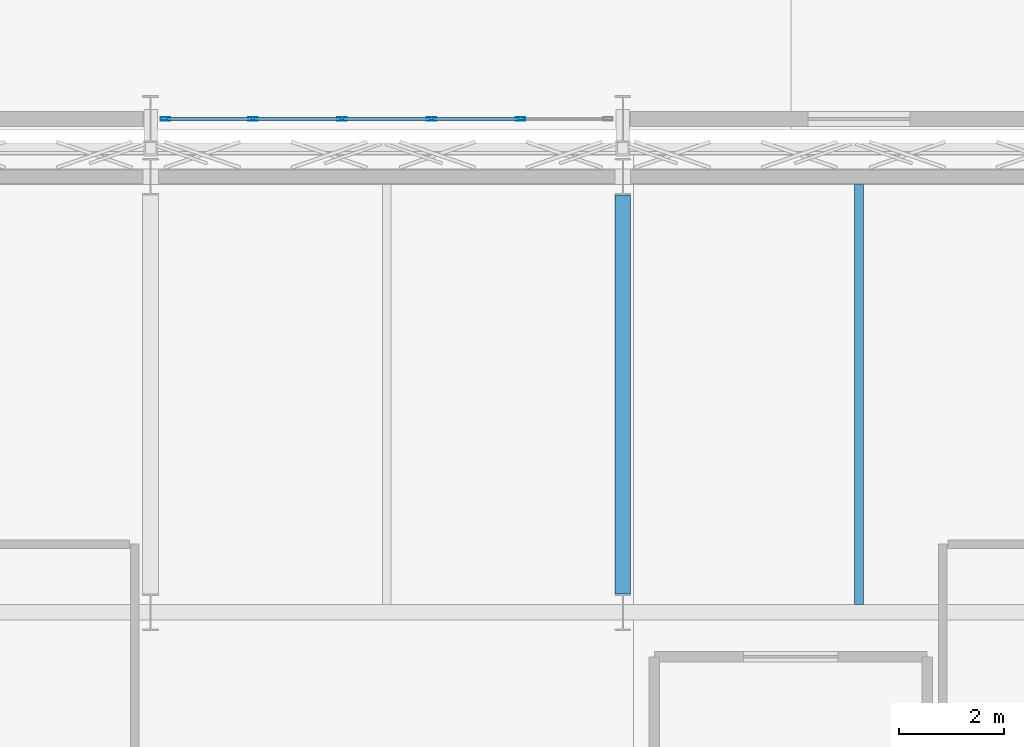
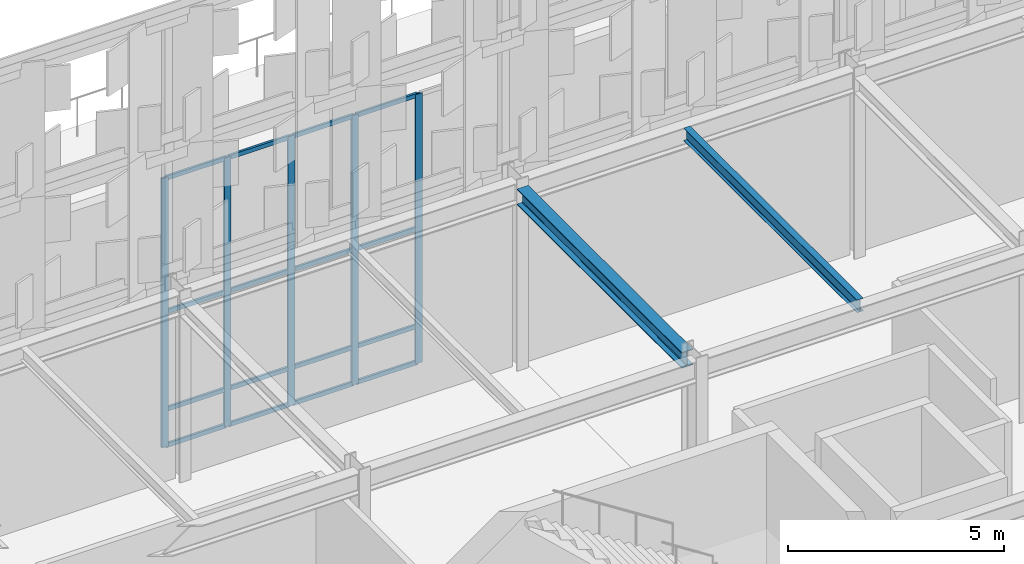
# One storey, part 67 of 210: 21 members, 2 beams, 1 element without a shape of its own.
"""IFC4 building model written with IfcOpenShell, lengths in metres."""

from ifc_helpers import new_model, si_unit, direction, frame, origin, origin_2d, place, context, subcontext, project, spatial, hollow_rectangle, i_section, extrude, material, material_profile, profile_set, type_object, element, aggregate, save


model = new_model("IFC4")

# Units and contexts
model_context = context("Model", 3, precision=1e-05, world=origin(), true_north=direction((0.0, 1.0)))
body_context = subcontext(model_context, "Body", "Model", "MODEL_VIEW")
ifc_project = project(units=[si_unit("LENGTHUNIT", "METRE"), si_unit("AREAUNIT", "SQUARE_METRE"), si_unit("VOLUMEUNIT", "CUBIC_METRE"), si_unit("PLANEANGLEUNIT", "RADIAN"), si_unit("MASSUNIT", "GRAM", prefix="KILO")], contexts=[model_context])

# Site, building, storey
site_placement = place(None, origin())
site = spatial("IfcSite", under=ifc_project, at=site_placement, CompositionType="ELEMENT")
building_placement = place(site_placement, origin())
building = spatial("IfcBuilding", under=site, at=building_placement, Name="Kaldris Quays Convention Centre", CompositionType="ELEMENT")
storey_placement = place(building_placement, frame((0.0, 0.0, 6.0)))
storey = spatial("IfcBuildingStorey", under=building, at=storey_placement, Name="L01", CompositionType="ELEMENT", Elevation=6.0)

# Curtain wall, members
ifc_material_1 = material(Name="Anodized aluminium AW-6060 and triple glazing", Category="aluminium")
curtain_wall_type = type_object("IfcCurtainWallType", Name="UNITISED CURTAIN WALL CW03", PredefinedType="NOTDEFINED", material=ifc_material_1)
curtain_wall_placement = place(storey_placement, origin())
curtain_wall = element("IfcCurtainWall", 1, at=curtain_wall_placement, inside=storey, type_object=curtain_wall_type, Name="L01 Unitised Curtain Wall CW03 9", PredefinedType="NOTDEFINED")
ifc_material_2 = material(Name="Anodized aluminium AW-6060", Category="aluminium")
ifc_material_profile_1 = material_profile(ifc_material_2, hollow_rectangle(XDim=0.06005859375, YDim=0.179931640625, WallThickness=0.0048828125, at=origin_2d()), Name="RHS 180x60x5")
ifc_profile_set_1 = profile_set([ifc_material_profile_1], Name="Anodized aluminium AW-6060")
member_type_1 = type_object("IfcMemberType", Name="CURTAIN MULLION CWM2", PredefinedType="MULLION", material=ifc_profile_set_1)
member_1_placement = place(storey_placement, frame((92.280029296875, 56.0, 0.0), z_axis=(0.0, 0.0, 1.0), x_axis=(0.0, 1.0, 0.0)))
member_1 = element("IfcMember", 2, at=member_1_placement, type_object=member_type_1, Name="CW03 mullion 1", PredefinedType="MULLION", context=body_context, shape_type="SweptSolid", body=[
    extrude(hollow_rectangle(XDim=0.06005859375, YDim=0.179931640625, WallThickness=0.0048828125, at=origin_2d()), origin(), (0.0, 0.0, 1.0), 7.60009765625),
])
member_2_placement = place(storey_placement, frame((93.949951171875, 56.0, 0.0), z_axis=(0.0, 0.0, 1.0), x_axis=(0.0, 1.0, 0.0)))
member_2 = element("IfcMember", 3, at=member_2_placement, type_object=member_type_1, Name="CW03 mullion 2", PredefinedType="MULLION", context=body_context, shape_type="SweptSolid", body=[
    extrude(hollow_rectangle(XDim=0.06005859375, YDim=0.179931640625, WallThickness=0.0048828125, at=origin_2d()), origin(), (0.0, 0.0, 1.0), 7.60009765625),
])
member_3_placement = place(storey_placement, frame((95.64990234375, 56.0, 0.0), z_axis=(0.0, 0.0, 1.0), x_axis=(0.0, 1.0, 0.0)))
member_3 = element("IfcMember", 4, at=member_3_placement, type_object=member_type_1, Name="CW03 mullion 3", PredefinedType="MULLION", context=body_context, shape_type="SweptSolid", body=[
    extrude(hollow_rectangle(XDim=0.06005859375, YDim=0.179931640625, WallThickness=0.0048828125, at=origin_2d()), origin(), (0.0, 0.0, 1.0), 7.60009765625),
])
member_4_placement = place(storey_placement, frame((97.35009765625, 56.0, 0.0), z_axis=(0.0, 0.0, 1.0), x_axis=(0.0, 1.0, 0.0)))
member_4 = element("IfcMember", 5, at=member_4_placement, type_object=member_type_1, Name="CW03 mullion 4", PredefinedType="MULLION", context=body_context, shape_type="SweptSolid", body=[
    extrude(hollow_rectangle(XDim=0.06005859375, YDim=0.179931640625, WallThickness=0.0048828125, at=origin_2d()), origin(), (0.0, 0.0, 1.0), 7.60009765625),
])
member_5_placement = place(storey_placement, frame((99.050048828125, 56.0, 0.0), z_axis=(0.0, 0.0, 1.0), x_axis=(0.0, 1.0, 0.0)))
member_5 = element("IfcMember", 6, at=member_5_placement, type_object=member_type_1, Name="CW03 mullion 5", PredefinedType="MULLION", context=body_context, shape_type="SweptSolid", body=[
    extrude(hollow_rectangle(XDim=0.06005859375, YDim=0.179931640625, WallThickness=0.0048828125, at=origin_2d()), origin(), (0.0, 0.0, 1.0), 7.60009765625),
])
ifc_material_profile_2 = material_profile(ifc_material_2, hollow_rectangle(XDim=0.06005859375, YDim=0.1201171875, WallThickness=0.00390625, at=origin_2d()), Name="RHS 120x60x4")
ifc_profile_set_2 = profile_set([ifc_material_profile_2], Name="Anodized aluminium AW-6060")
member_type_2 = type_object("IfcMemberType", Name="CURTAIN TRANSOM CWT1", PredefinedType="USERDEFINED", material=ifc_profile_set_2)
member_6_placement = place(storey_placement, frame((92.31005859375, 56.0, 0.030029296875), z_axis=(1.0, 0.0, 0.0), x_axis=(0.0, 1.0, 0.0)))
member_6 = element("IfcMember", 7, at=member_6_placement, type_object=member_type_2, Name="CW03 transom 1.1", ObjectType="TRANSOM", PredefinedType="USERDEFINED", context=body_context, shape_type="SweptSolid", body=[
    extrude(hollow_rectangle(XDim=0.06005859375, YDim=0.1201171875, WallThickness=0.00390625, at=origin_2d()), origin(), (0.0, 0.0, 1.0), 1.60986328125),
])
member_7_placement = place(storey_placement, frame((92.31005859375, 56.0, 1.050048828125), z_axis=(1.0, 0.0, 0.0), x_axis=(0.0, 1.0, 0.0)))
member_7 = element("IfcMember", 8, at=member_7_placement, type_object=member_type_2, Name="CW03 transom 1.2", ObjectType="TRANSOM", PredefinedType="USERDEFINED", context=body_context, shape_type="SweptSolid", body=[
    extrude(hollow_rectangle(XDim=0.06005859375, YDim=0.1201171875, WallThickness=0.00390625, at=origin_2d()), origin(), (0.0, 0.0, 1.0), 1.60986328125),
])
member_8_placement = place(storey_placement, frame((92.31005859375, 56.0, 3.800048828125), z_axis=(1.0, 0.0, 0.0), x_axis=(0.0, 1.0, 0.0)))
member_8 = element("IfcMember", 9, at=member_8_placement, type_object=member_type_2, Name="CW03 transom 1.3", ObjectType="TRANSOM", PredefinedType="USERDEFINED", context=body_context, shape_type="SweptSolid", body=[
    extrude(hollow_rectangle(XDim=0.06005859375, YDim=0.1201171875, WallThickness=0.00390625, at=origin_2d()), origin(), (0.0, 0.0, 1.0), 1.60986328125),
])
member_9_placement = place(storey_placement, frame((92.31005859375, 56.0, 7.570068359375), z_axis=(1.0, 0.0, 0.0), x_axis=(0.0, 1.0, 0.0)))
member_9 = element("IfcMember", 10, at=member_9_placement, type_object=member_type_2, Name="CW03 transom 1.4", ObjectType="TRANSOM", PredefinedType="USERDEFINED", context=body_context, shape_type="SweptSolid", body=[
    extrude(hollow_rectangle(XDim=0.06005859375, YDim=0.1201171875, WallThickness=0.00390625, at=origin_2d()), origin(), (0.0, 0.0, 1.0), 1.60986328125),
])
member_10_placement = place(storey_placement, frame((93.97998046875, 56.0, 0.030029296875), z_axis=(1.0, 0.0, 0.0), x_axis=(0.0, 1.0, 0.0)))
member_10 = element("IfcMember", 11, at=member_10_placement, type_object=member_type_2, Name="CW03 transom 2.1", ObjectType="TRANSOM", PredefinedType="USERDEFINED", context=body_context, shape_type="SweptSolid", body=[
    extrude(hollow_rectangle(XDim=0.06005859375, YDim=0.1201171875, WallThickness=0.00390625, at=origin_2d()), origin(), (0.0, 0.0, 1.0), 1.64013671875),
])
member_11_placement = place(storey_placement, frame((93.97998046875, 56.0, 1.050048828125), z_axis=(1.0, 0.0, 0.0), x_axis=(0.0, 1.0, 0.0)))
member_11 = element("IfcMember", 12, at=member_11_placement, type_object=member_type_2, Name="CW03 transom 2.2", ObjectType="TRANSOM", PredefinedType="USERDEFINED", context=body_context, shape_type="SweptSolid", body=[
    extrude(hollow_rectangle(XDim=0.06005859375, YDim=0.1201171875, WallThickness=0.00390625, at=origin_2d()), origin(), (0.0, 0.0, 1.0), 1.64013671875),
])
member_12_placement = place(storey_placement, frame((93.97998046875, 56.0, 3.800048828125), z_axis=(1.0, 0.0, 0.0), x_axis=(0.0, 1.0, 0.0)))
member_12 = element("IfcMember", 13, at=member_12_placement, type_object=member_type_2, Name="CW03 transom 2.3", ObjectType="TRANSOM", PredefinedType="USERDEFINED", context=body_context, shape_type="SweptSolid", body=[
    extrude(hollow_rectangle(XDim=0.06005859375, YDim=0.1201171875, WallThickness=0.00390625, at=origin_2d()), origin(), (0.0, 0.0, 1.0), 1.64013671875),
])
member_13_placement = place(storey_placement, frame((93.97998046875, 56.0, 7.570068359375), z_axis=(1.0, 0.0, 0.0), x_axis=(0.0, 1.0, 0.0)))
member_13 = element("IfcMember", 14, at=member_13_placement, type_object=member_type_2, Name="CW03 transom 2.4", ObjectType="TRANSOM", PredefinedType="USERDEFINED", context=body_context, shape_type="SweptSolid", body=[
    extrude(hollow_rectangle(XDim=0.06005859375, YDim=0.1201171875, WallThickness=0.00390625, at=origin_2d()), origin(), (0.0, 0.0, 1.0), 1.64013671875),
])
member_14_placement = place(storey_placement, frame((95.679931640625, 56.0, 0.030029296875), z_axis=(1.0, 0.0, 0.0), x_axis=(0.0, 1.0, 0.0)))
member_14 = element("IfcMember", 15, at=member_14_placement, type_object=member_type_2, Name="CW03 transom 3.1", ObjectType="TRANSOM", PredefinedType="USERDEFINED", context=body_context, shape_type="SweptSolid", body=[
    extrude(hollow_rectangle(XDim=0.06005859375, YDim=0.1201171875, WallThickness=0.00390625, at=origin_2d()), origin(), (0.0, 0.0, 1.0), 1.64013671875),
])
member_15_placement = place(storey_placement, frame((95.679931640625, 56.0, 1.050048828125), z_axis=(1.0, 0.0, 0.0), x_axis=(0.0, 1.0, 0.0)))
member_15 = element("IfcMember", 16, at=member_15_placement, type_object=member_type_2, Name="CW03 transom 3.2", ObjectType="TRANSOM", PredefinedType="USERDEFINED", context=body_context, shape_type="SweptSolid", body=[
    extrude(hollow_rectangle(XDim=0.06005859375, YDim=0.1201171875, WallThickness=0.00390625, at=origin_2d()), origin(), (0.0, 0.0, 1.0), 1.64013671875),
])
member_16_placement = place(storey_placement, frame((95.679931640625, 56.0, 3.800048828125), z_axis=(1.0, 0.0, 0.0), x_axis=(0.0, 1.0, 0.0)))
member_16 = element("IfcMember", 17, at=member_16_placement, type_object=member_type_2, Name="CW03 transom 3.3", ObjectType="TRANSOM", PredefinedType="USERDEFINED", context=body_context, shape_type="SweptSolid", body=[
    extrude(hollow_rectangle(XDim=0.06005859375, YDim=0.1201171875, WallThickness=0.00390625, at=origin_2d()), origin(), (0.0, 0.0, 1.0), 1.64013671875),
])
member_17_placement = place(storey_placement, frame((95.679931640625, 56.0, 7.570068359375), z_axis=(1.0, 0.0, 0.0), x_axis=(0.0, 1.0, 0.0)))
member_17 = element("IfcMember", 18, at=member_17_placement, type_object=member_type_2, Name="CW03 transom 3.4", ObjectType="TRANSOM", PredefinedType="USERDEFINED", context=body_context, shape_type="SweptSolid", body=[
    extrude(hollow_rectangle(XDim=0.06005859375, YDim=0.1201171875, WallThickness=0.00390625, at=origin_2d()), origin(), (0.0, 0.0, 1.0), 1.64013671875),
])
member_18_placement = place(storey_placement, frame((97.3798828125, 56.0, 0.030029296875), z_axis=(1.0, 0.0, 0.0), x_axis=(0.0, 1.0, 0.0)))
member_18 = element("IfcMember", 19, at=member_18_placement, type_object=member_type_2, Name="CW03 transom 4.1", ObjectType="TRANSOM", PredefinedType="USERDEFINED", context=body_context, shape_type="SweptSolid", body=[
    extrude(hollow_rectangle(XDim=0.06005859375, YDim=0.1201171875, WallThickness=0.00390625, at=origin_2d()), origin(), (0.0, 0.0, 1.0), 1.64013671875),
])
member_19_placement = place(storey_placement, frame((97.3798828125, 56.0, 1.050048828125), z_axis=(1.0, 0.0, 0.0), x_axis=(0.0, 1.0, 0.0)))
member_19 = element("IfcMember", 20, at=member_19_placement, type_object=member_type_2, Name="CW03 transom 4.2", ObjectType="TRANSOM", PredefinedType="USERDEFINED", context=body_context, shape_type="SweptSolid", body=[
    extrude(hollow_rectangle(XDim=0.06005859375, YDim=0.1201171875, WallThickness=0.00390625, at=origin_2d()), origin(), (0.0, 0.0, 1.0), 1.64013671875),
])
member_20_placement = place(storey_placement, frame((97.3798828125, 56.0, 3.800048828125), z_axis=(1.0, 0.0, 0.0), x_axis=(0.0, 1.0, 0.0)))
member_20 = element("IfcMember", 21, at=member_20_placement, type_object=member_type_2, Name="CW03 transom 4.3", ObjectType="TRANSOM", PredefinedType="USERDEFINED", context=body_context, shape_type="SweptSolid", body=[
    extrude(hollow_rectangle(XDim=0.06005859375, YDim=0.1201171875, WallThickness=0.00390625, at=origin_2d()), origin(), (0.0, 0.0, 1.0), 1.64013671875),
])
member_21_placement = place(storey_placement, frame((97.3798828125, 56.0, 7.570068359375), z_axis=(1.0, 0.0, 0.0), x_axis=(0.0, 1.0, 0.0)))
member_21 = element("IfcMember", 22, at=member_21_placement, type_object=member_type_2, Name="CW03 transom 4.4", ObjectType="TRANSOM", PredefinedType="USERDEFINED", context=body_context, shape_type="SweptSolid", body=[
    extrude(hollow_rectangle(XDim=0.06005859375, YDim=0.1201171875, WallThickness=0.00390625, at=origin_2d()), origin(), (0.0, 0.0, 1.0), 1.64013671875),
])
aggregate(curtain_wall, [member_1, member_2, member_3, member_4, member_5, member_6, member_7, member_8, member_9, member_10, member_11, member_12, member_13, member_14, member_15, member_16, member_17, member_18, member_19, member_20, member_21])

# Beams
ifc_material_3 = material(Name="Steel S355J2", Category="steel")
ifc_material_profile_3 = material_profile(ifc_material_3, i_section(OverallWidth=0.300048828125, OverallDepth=0.449951171875, WebThickness=0.013916015625, FlangeThickness=0.02587890625, FilletRadius=0.027099609375, at=origin_2d()), Name="HEB 450")
ifc_profile_set_3 = profile_set([ifc_material_profile_3], Name="Steel S355J2")
beam_type_1 = type_object("IfcBeamType", Name="STRUCTURAL BEAM BM07", PredefinedType="BEAM", material=ifc_profile_set_3)
beam_1_placement = place(storey_placement, frame((101.0, 46.944091796875, 4.91796875), z_axis=(0.0, 1.0, 0.0), x_axis=(-1.0, 0.0, 0.0)))
element("IfcBeam", 23, at=beam_1_placement, inside=storey, type_object=beam_type_1, Name="L01 Girder BM07 59", PredefinedType="BEAM", context=body_context, shape_type="SweptSolid", body=[
    extrude(i_section(OverallWidth=0.300048828125, OverallDepth=0.449951171875, WebThickness=0.013916015625, FlangeThickness=0.02587890625, FilletRadius=0.027099609375, at=origin_2d()), origin(), (0.0, 0.0, 1.0), 7.61181640625),
])
ifc_material_profile_4 = material_profile(ifc_material_3, i_section(OverallWidth=0.169921875, OverallDepth=0.360107421875, WebThickness=0.008056640625, FlangeThickness=0.0126953125, FilletRadius=0.01806640625, at=origin_2d()), Name="IPE 360")
ifc_profile_set_4 = profile_set([ifc_material_profile_4], Name="Steel S355J2")
beam_type_2 = type_object("IfcBeamType", Name="STRUCTURAL BEAM JT03", PredefinedType="JOIST", material=ifc_profile_set_4)
beam_2_placement = place(storey_placement, frame((105.5, 46.743896484375, 4.962890625), z_axis=(0.0, 1.0, 0.0), x_axis=(-1.0, 0.0, 0.0)))
element("IfcBeam", 24, at=beam_2_placement, inside=storey, type_object=beam_type_2, Name="L01 Secondary Joist JT03 5", PredefinedType="JOIST", context=body_context, shape_type="SweptSolid", body=[
    extrude(i_section(OverallWidth=0.169921875, OverallDepth=0.360107421875, WebThickness=0.008056640625, FlangeThickness=0.0126953125, FilletRadius=0.01806640625, at=origin_2d()), origin(), (0.0, 0.0, 1.0), 8.01220703125),
])

save(model, "model.ifc")
